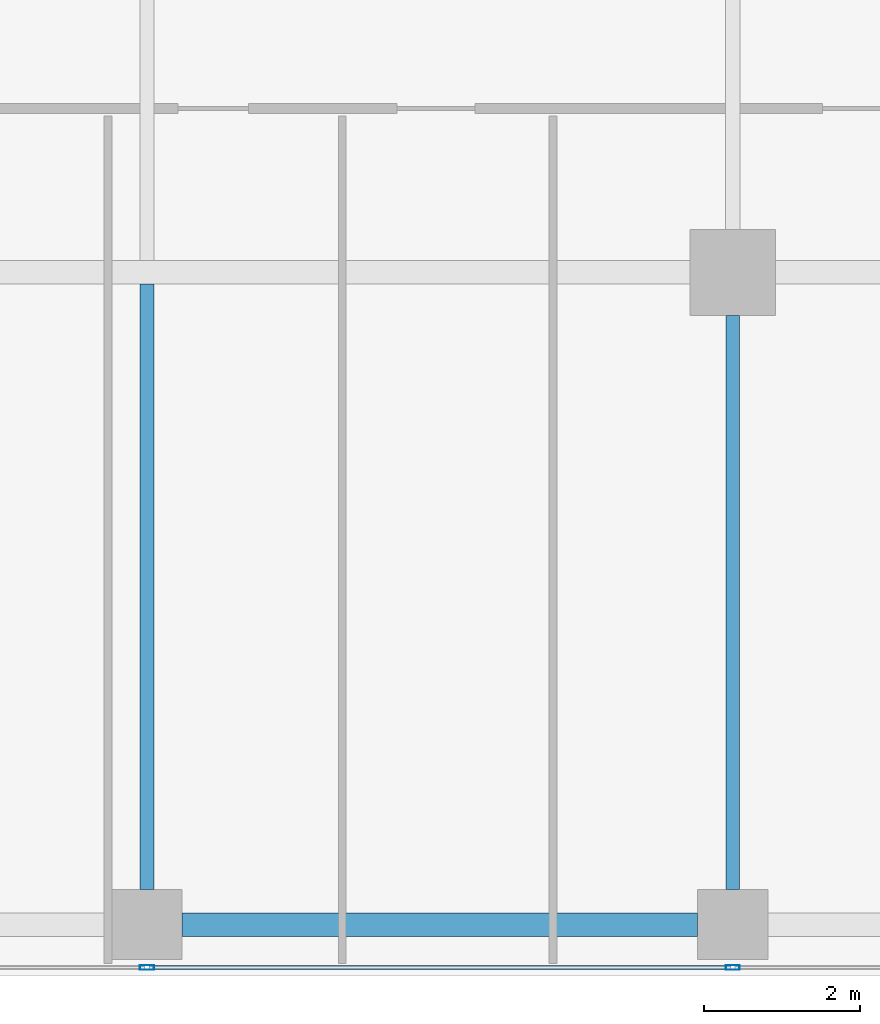
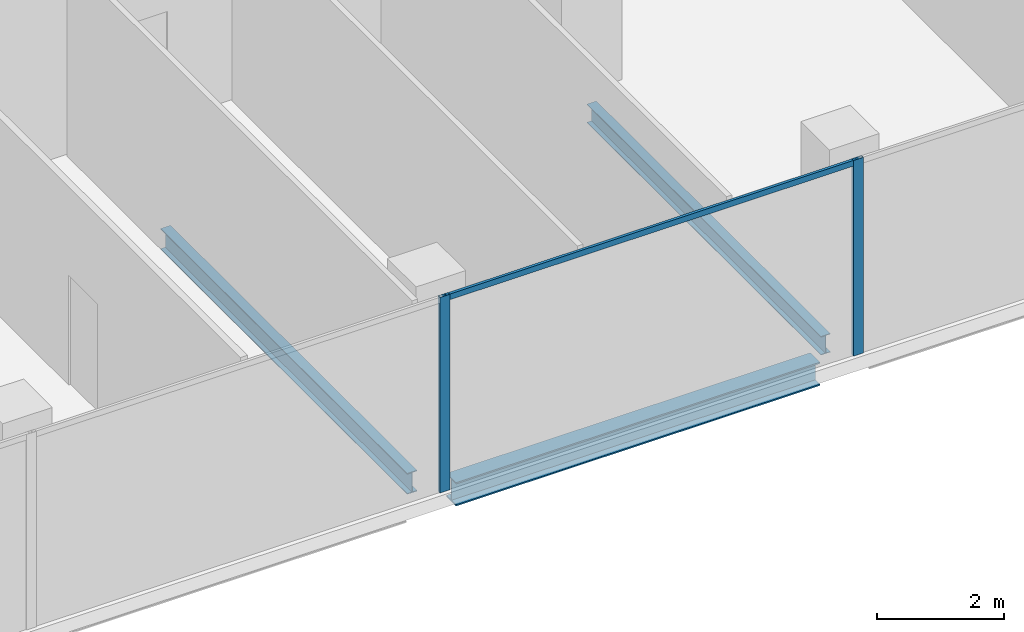
# One storey, part 6 of 35: 3 beams, 3 members, 1 element without a shape of its own.
"""IFC4 building model written with IfcOpenShell, lengths in metres."""

from ifc_helpers import new_model, si_unit, direction, frame, origin, origin_2d, place, context, subcontext, project, spatial, hollow_rectangle, i_section, extrude, source, transform, mapped, material, material_profile, profile_set, type_object, element, aggregate, save


model = new_model("IFC4")

# Units and contexts
model_context = context("Model", 3, precision=1e-05, world=origin(), true_north=direction((0.0, 1.0)))
body_context = subcontext(model_context, "Body", "Model", "MODEL_VIEW")
ifc_project = project(units=[si_unit("LENGTHUNIT", "METRE"), si_unit("AREAUNIT", "SQUARE_METRE"), si_unit("VOLUMEUNIT", "CUBIC_METRE"), si_unit("PLANEANGLEUNIT", "RADIAN"), si_unit("MASSUNIT", "GRAM", prefix="KILO")], contexts=[model_context])

# Site, building, storey
site_placement = place(None, origin())
site = spatial("IfcSite", under=ifc_project, at=site_placement, CompositionType="ELEMENT")
building_placement = place(site_placement, origin())
building = spatial("IfcBuilding", under=site, at=building_placement, Name="Khomas Fold Tower", CompositionType="ELEMENT")
storey_placement = place(building_placement, frame((0.0, 0.0, 270.199951171875)))
storey = spatial("IfcBuildingStorey", under=building, at=storey_placement, Name="L61", CompositionType="ELEMENT", Elevation=270.199951171875)

# Beams
ifc_material_1 = material(Name="Steel S355", Category="steel")
ifc_material_profile_1 = material_profile(ifc_material_1, i_section(OverallWidth=0.300048828125, OverallDepth=0.449951171875, WebThickness=0.013916015625, FlangeThickness=0.02587890625, at=origin_2d()), Name="HE 450 B")
ifc_profile_set_1 = profile_set([ifc_material_profile_1], Name="Steel S355")
beam_type_1 = type_object("IfcBeamType", Name="HE 450 B spandrel SB4", PredefinedType="SPANDREL", material=ifc_profile_set_1)
shared_shape_1 = source(origin(), body_context, "Body", "SweptSolid", [
    extrude(i_section(OverallWidth=0.300048828125, OverallDepth=0.449951171875, WebThickness=0.013916015625, FlangeThickness=0.02587890625, at=origin_2d()), origin(), (0.0, 0.0, 1.0), 6.60009765625),
])
beam_1_placement = place(storey_placement, frame((27.449951171875, 5.14990234375, -0.474853515625), z_axis=(1.0, 0.0, 0.0), x_axis=(0.0, 1.0, 0.0)))
element("IfcBeam", 1, at=beam_1_placement, inside=storey, type_object=beam_type_1, Name="SB4", PredefinedType="SPANDREL", context=body_context, shape_type="MappedRepresentation", body=[
    mapped(shared_shape_1, transform((0.0, 0.0, 0.0))),
])
ifc_material_2 = material(Name="Steel S355", Category="steel")
ifc_material_profile_2 = material_profile(ifc_material_2, i_section(OverallWidth=0.179931640625, OverallDepth=0.39990234375, WebThickness=0.008544921875, FlangeThickness=0.013427734375, at=origin_2d()), Name="IPE 400")
ifc_profile_set_2 = profile_set([ifc_material_profile_2], Name="Steel S355")
beam_type_2 = type_object("IfcBeamType", Name="IPE 400 beam JB3", PredefinedType="BEAM", material=ifc_profile_set_2)
shared_shape_2 = source(origin(), body_context, "Body", "SweptSolid", [
    extrude(i_section(OverallWidth=0.179931640625, OverallDepth=0.39990234375, WebThickness=0.008544921875, FlangeThickness=0.013427734375, at=origin_2d()), origin(), (0.0, 0.0, 1.0), 7.75),
])
beam_2_placement = place(storey_placement, frame((27.0, 5.60009765625, -0.449951171875), z_axis=(0.0, 1.0, 0.0), x_axis=(-1.0, 0.0, 0.0)))
element("IfcBeam", 2, at=beam_2_placement, inside=storey, type_object=beam_type_2, Name="JB3", PredefinedType="BEAM", context=body_context, shape_type="MappedRepresentation", body=[
    mapped(shared_shape_2, transform((0.0, 0.0, 0.0))),
])
ifc_material_3 = material(Name="Steel S355", Category="steel")
ifc_material_profile_3 = material_profile(ifc_material_3, i_section(OverallWidth=0.169921875, OverallDepth=0.360107421875, WebThickness=0.008056640625, FlangeThickness=0.0126953125, at=origin_2d()), Name="IPE 360")
ifc_profile_set_3 = profile_set([ifc_material_profile_3], Name="Steel S355")
beam_type_3 = type_object("IfcBeamType", Name="IPE 360 beam JB2", PredefinedType="BEAM", material=ifc_profile_set_3)
shared_shape_3 = source(origin(), body_context, "Body", "SweptSolid", [
    extrude(i_section(OverallWidth=0.169921875, OverallDepth=0.360107421875, WebThickness=0.008056640625, FlangeThickness=0.0126953125, at=origin_2d()), origin(), (0.0, 0.0, 1.0), 7.349853515625),
])
beam_3_placement = place(storey_placement, frame((34.5, 5.60009765625, -0.429931640625), z_axis=(0.0, 1.0, 0.0), x_axis=(-1.0, 0.0, 0.0)))
element("IfcBeam", 3, at=beam_3_placement, inside=storey, type_object=beam_type_3, Name="JB2", PredefinedType="BEAM", context=body_context, shape_type="MappedRepresentation", body=[
    mapped(shared_shape_3, transform((0.0, 0.0, 0.0))),
])

# Curtain wall, members
ifc_material_4 = material(Name="Aluminium framed double glazing", Category="aluminium")
curtain_wall_type = type_object("IfcCurtainWallType", Name="SK-Unitised clear-glass wall, office floors CW2", PredefinedType="NOTDEFINED", material=ifc_material_4)
curtain_wall_placement = place(storey_placement, origin())
curtain_wall = element("IfcCurtainWall", 4, at=curtain_wall_placement, inside=storey, type_object=curtain_wall_type, Name="CW2 run L61 00-0", PredefinedType="NOTDEFINED")
ifc_material_5 = material(Name="Aluminium", Category="aluminium")
ifc_material_profile_4 = material_profile(ifc_material_5, hollow_rectangle(XDim=0.06005859375, YDim=0.179931640625, WallThickness=0.00390625, at=origin_2d()), Name="SK-Unitised clear-glass wall, office floors mullion CW2-M")
ifc_profile_set_4 = profile_set([ifc_material_profile_4], Name="Aluminium")
member_type_1 = type_object("IfcMemberType", Name="SK-Unitised clear-glass wall, office floors mullion CW2-M", PredefinedType="MULLION", material=ifc_profile_set_4)
shared_shape_4 = source(origin(), body_context, "Body", "SweptSolid", [
    extrude(hollow_rectangle(XDim=0.06005859375, YDim=0.179931640625, WallThickness=0.00390625, at=origin_2d()), origin(), (0.0, 0.0, 1.0), 3.75),
])
member_1_placement = place(storey_placement, frame((27.0, 4.60009765625, 0.0), z_axis=(0.0, 0.0, 1.0), x_axis=(0.0, 1.0, 0.0)))
member_1 = element("IfcMember", 5, at=member_1_placement, type_object=member_type_1, Name="CW2 mullion 4", PredefinedType="MULLION", context=body_context, shape_type="MappedRepresentation", body=[
    mapped(shared_shape_4, transform((0.0, 0.0, 0.0))),
])
member_2_placement = place(storey_placement, frame((34.5, 4.60009765625, 0.0), z_axis=(0.0, 0.0, 1.0), x_axis=(0.0, 1.0, 0.0)))
member_2 = element("IfcMember", 6, at=member_2_placement, type_object=member_type_1, Name="CW2 mullion 5", PredefinedType="MULLION", context=body_context, shape_type="MappedRepresentation", body=[
    mapped(shared_shape_4, transform((0.0, 0.0, 0.0))),
])
ifc_material_6 = material(Name="Aluminium", Category="aluminium")
ifc_material_profile_5 = material_profile(ifc_material_6, hollow_rectangle(XDim=0.050048828125, YDim=0.110107421875, WallThickness=0.00390625, at=origin_2d()), Name="SK-Unitised clear-glass wall, office floors transom CW2-T")
ifc_profile_set_5 = profile_set([ifc_material_profile_5], Name="Aluminium")
member_type_2 = type_object("IfcMemberType", Name="SK-Unitised clear-glass wall, office floors transom CW2-T", PredefinedType="USERDEFINED", material=ifc_profile_set_5)
shared_shape_5 = source(origin(), body_context, "Body", "SweptSolid", [
    extrude(hollow_rectangle(XDim=0.050048828125, YDim=0.110107421875, WallThickness=0.00390625, at=origin_2d()), origin(), (0.0, 0.0, 1.0), 7.43994140625),
])
member_3_placement = place(storey_placement, frame((27.030029296875, 4.60009765625, 3.695068359375), z_axis=(1.0, 0.0, 0.0), x_axis=(0.0, 1.0, 0.0)))
member_3 = element("IfcMember", 7, at=member_3_placement, type_object=member_type_2, Name="CW2 transom 4", ObjectType="TRANSOM", PredefinedType="USERDEFINED", context=body_context, shape_type="MappedRepresentation", body=[
    mapped(shared_shape_5, transform((0.0, 0.0, 0.0))),
])
aggregate(curtain_wall, [member_1, member_2, member_3])

save(model, "model.ifc")
